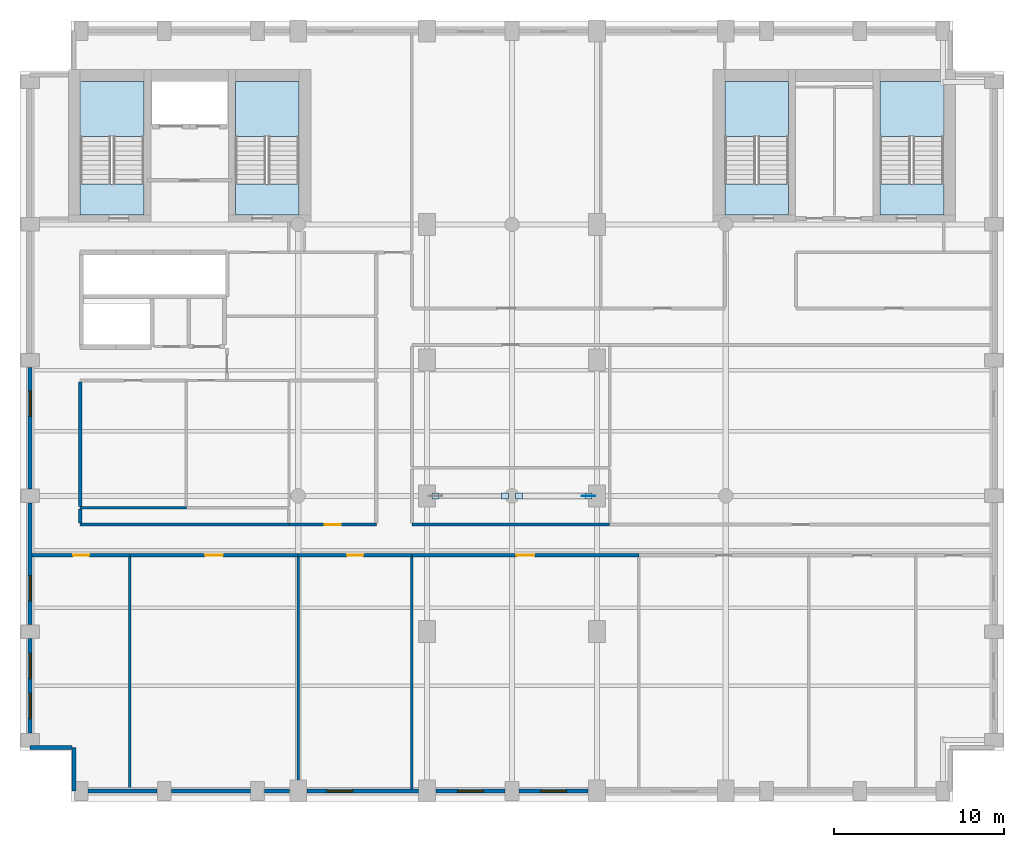
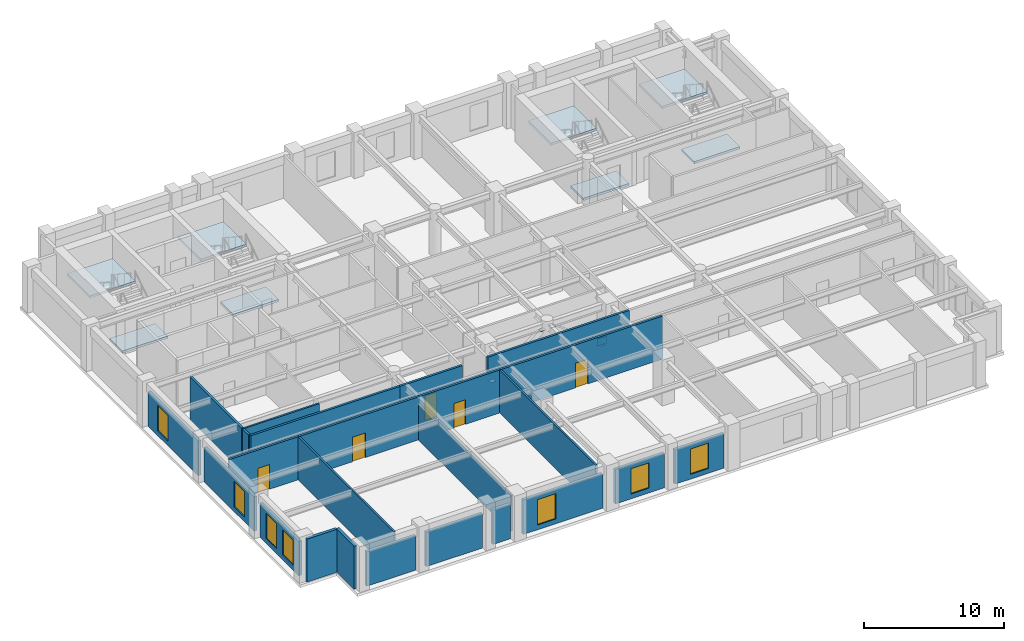
# One storey, part 4 of 10: 24 walls, 8 slabs, 7 windows, 5 doors, 5 plates, 12 openings, 4 elements without a shape of their own.
"""IFC4 building model written with IfcOpenShell, lengths in metres."""

from ifc_helpers import new_model, si_unit, direction, frame, frame_2d, origin, origin_2d, place, context, subcontext, project, spatial, polyline, rectangle, outline, extrude, material, layer, layer_set, type_object, element, fill, aggregate, save


model = new_model("IFC4")

# Units and contexts
model_context = context("Model", 3, precision=1e-05, world=origin(), true_north=direction((0.0, 1.0)))
body_context = subcontext(model_context, "Body", "Model", "MODEL_VIEW")
ifc_project = project(units=[si_unit("LENGTHUNIT", "METRE"), si_unit("AREAUNIT", "SQUARE_METRE"), si_unit("VOLUMEUNIT", "CUBIC_METRE"), si_unit("PLANEANGLEUNIT", "RADIAN"), si_unit("MASSUNIT", "GRAM", prefix="KILO")], contexts=[model_context])

# Site, building, storey
site_placement = place(None, origin())
site = spatial("IfcSite", under=ifc_project, at=site_placement, CompositionType="ELEMENT")
building_placement = place(site_placement, origin())
building = spatial("IfcBuilding", under=site, at=building_placement, Name="Sulina Concourse Tower", CompositionType="ELEMENT")
storey_placement = place(building_placement, frame((0.0, 0.0, 210.60009765625)))
storey = spatial("IfcBuildingStorey", under=building, at=storey_placement, Name="L51", CompositionType="ELEMENT", Elevation=210.60009765625)

# Slabs
ifc_material_1 = material(Name="Concrete C50/60", Category="concrete")
ifc_layer_1 = layer(ifc_material_1, 0.199951171875)
ifc_layer_set_1 = layer_set([ifc_layer_1], Name="Concrete C50/60")
slab_type = type_object("IfcSlabType", Name="Primary Core Stair Landing Slab 200mm", PredefinedType="LANDING", material=ifc_layer_set_1)
slab_1_placement = place(storey_placement, frame((0.0, 0.0, -0.2001953125)))
element("IfcSlab", 1, at=slab_1_placement, inside=storey, type_object=slab_type, Name="L51 ST-1 floor landing slab", PredefinedType="LANDING", context=body_context, shape_type="SweptSolid", body=[
    extrude(outline(polyline([(7.31005859375, 34.550048828125), (7.31005859375, 36.375), (3.550048828125, 36.375), (3.550048828125, 34.550048828125), (7.31005859375, 34.550048828125)])), origin(), (0.0, 0.0, 1.0), 0.2001953125),
])
slab_2_placement = place(storey_placement, frame((0.0, 0.0, -0.2001953125)))
element("IfcSlab", 2, at=slab_2_placement, inside=storey, type_object=slab_type, Name="L51 ST-2 floor landing slab", PredefinedType="LANDING", context=body_context, shape_type="SweptSolid", body=[
    extrude(outline(polyline([(16.449951171875, 34.550048828125), (16.449951171875, 36.375), (12.68994140625, 36.375), (12.68994140625, 34.550048828125), (16.449951171875, 34.550048828125)])), origin(), (0.0, 0.0, 1.0), 0.2001953125),
])
slab_3_placement = place(storey_placement, frame((0.0, 0.0, -0.2001953125)))
element("IfcSlab", 3, at=slab_3_placement, inside=storey, type_object=slab_type, Name="L51 ST-3 floor landing slab", PredefinedType="LANDING", context=body_context, shape_type="SweptSolid", body=[
    extrude(outline(polyline([(45.31005859375, 34.550048828125), (45.31005859375, 36.375), (41.550048828125, 36.375), (41.550048828125, 34.550048828125), (45.31005859375, 34.550048828125)])), origin(), (0.0, 0.0, 1.0), 0.2001953125),
])
slab_4_placement = place(storey_placement, frame((0.0, 0.0, -0.2001953125)))
element("IfcSlab", 4, at=slab_4_placement, inside=storey, type_object=slab_type, Name="L51 ST-4 floor landing slab", PredefinedType="LANDING", context=body_context, shape_type="SweptSolid", body=[
    extrude(outline(polyline([(54.449951171875, 34.550048828125), (54.449951171875, 36.375), (50.68994140625, 36.375), (50.68994140625, 34.550048828125), (54.449951171875, 34.550048828125)])), origin(), (0.0, 0.0, 1.0), 0.2001953125),
])

# Stair, slab
ifc_material_2 = material(Name="Concrete C50/60", Category="concrete")
stair_type_1 = type_object("IfcStairType", Name="Primary Core Dog-Leg Exit Stair 1800mm", PredefinedType="HALF_TURN_STAIR", material=ifc_material_2)
stair_1_placement = place(storey_placement, origin())
stair_1 = element("IfcStair", 5, at=stair_1_placement, inside=storey, type_object=stair_type_1, Name="L51 ST-1", PredefinedType="HALF_TURN_STAIR")
slab_5_placement = place(storey_placement, frame((0.0, 0.0, 1.7998046875)))
slab_5 = element("IfcSlab", 6, at=slab_5_placement, type_object=slab_type, Name="ST-1 landing 1", PredefinedType="LANDING", context=body_context, shape_type="SweptSolid", body=[
    extrude(outline(polyline([(7.304931640625, 39.175048828125), (7.304931640625, 42.425048828125), (3.554931640625, 42.425048828125), (3.554931640625, 39.175048828125), (7.304931640625, 39.175048828125)])), origin(), (0.0, 0.0, 1.0), 0.2001953125),
])
aggregate(stair_1, [slab_5])

stair_2_placement = place(storey_placement, origin())
stair_2 = element("IfcStair", 7, at=stair_2_placement, inside=storey, type_object=stair_type_1, Name="L51 ST-2", PredefinedType="HALF_TURN_STAIR")
slab_6_placement = place(storey_placement, frame((0.0, 0.0, 1.7998046875)))
slab_6 = element("IfcSlab", 8, at=slab_6_placement, type_object=slab_type, Name="ST-2 landing 1", PredefinedType="LANDING", context=body_context, shape_type="SweptSolid", body=[
    extrude(outline(polyline([(16.445068359375, 39.175048828125), (16.445068359375, 42.425048828125), (12.695068359375, 42.425048828125), (12.695068359375, 39.175048828125), (16.445068359375, 39.175048828125)])), origin(), (0.0, 0.0, 1.0), 0.2001953125),
])
aggregate(stair_2, [slab_6])

ifc_material_3 = material(Name="Concrete C50/60", Category="concrete")
stair_type_2 = type_object("IfcStairType", Name="Portal & Podium Core Exit Stair 1820mm", PredefinedType="HALF_TURN_STAIR", material=ifc_material_3)
stair_3_placement = place(storey_placement, origin())
stair_3 = element("IfcStair", 9, at=stair_3_placement, inside=storey, type_object=stair_type_2, Name="L51 ST-3", PredefinedType="HALF_TURN_STAIR")
slab_7_placement = place(storey_placement, frame((0.0, 0.0, 1.7998046875)))
slab_7 = element("IfcSlab", 10, at=slab_7_placement, type_object=slab_type, Name="ST-3 landing 1", PredefinedType="LANDING", context=body_context, shape_type="SweptSolid", body=[
    extrude(outline(polyline([(45.304931640625, 39.175048828125), (45.304931640625, 42.425048828125), (41.554931640625, 42.425048828125), (41.554931640625, 39.175048828125), (45.304931640625, 39.175048828125)])), origin(), (0.0, 0.0, 1.0), 0.2001953125),
])
aggregate(stair_3, [slab_7])

stair_4_placement = place(storey_placement, origin())
stair_4 = element("IfcStair", 11, at=stair_4_placement, inside=storey, type_object=stair_type_2, Name="L51 ST-4", PredefinedType="HALF_TURN_STAIR")
slab_8_placement = place(storey_placement, frame((0.0, 0.0, 1.7998046875)))
slab_8 = element("IfcSlab", 12, at=slab_8_placement, type_object=slab_type, Name="ST-4 landing 1", PredefinedType="LANDING", context=body_context, shape_type="SweptSolid", body=[
    extrude(outline(polyline([(54.445068359375, 39.175048828125), (54.445068359375, 42.425048828125), (50.695068359375, 42.425048828125), (50.695068359375, 39.175048828125), (54.445068359375, 39.175048828125)])), origin(), (0.0, 0.0, 1.0), 0.2001953125),
])
aggregate(stair_4, [slab_8])

# Plates
ifc_material_4 = material(Name="Steel S355", Category="steel")
ifc_layer_2 = layer(ifc_material_4, 0.0400390625)
ifc_layer_set_2 = layer_set([ifc_layer_2], Name="Steel S355")
plate_type_1 = type_object("IfcPlateType", Name="Upper Bridge Node Gusset Plate 40mm", PredefinedType="USERDEFINED", material=ifc_layer_set_2)
plate_placement = place(storey_placement, frame((33.510009765625, 18.0, 0.094970703125), z_axis=(0.0, 0.0, 1.0), x_axis=(1.0, 0.0, 0.0)))
element("IfcPlate", 13, at=plate_placement, inside=storey, type_object=plate_type_1, Name="UBT-DG-2-L51 node gusset plate", ObjectType="GUSSET_PLATE", PredefinedType="USERDEFINED", context=body_context, shape_type="SweptSolid", body=[
    extrude(rectangle(XDim=0.800048828125, YDim=0.0400390625, at=origin_2d()), origin(), (0.0, 0.0, 1.0), 0.64990234375),
])
ifc_material_5 = material(Name="Steel S355", Category="steel")
ifc_layer_3 = layer(ifc_material_5, 0.02001953125)
ifc_layer_set_3 = layer_set([ifc_layer_3], Name="Steel S355")
plate_type_2 = type_object("IfcPlateType", Name="Upper Hollow Brace End-Cap Plate 20mm", PredefinedType="USERDEFINED", material=ifc_layer_set_3)
for number, where, z_axis, x_axis, name in (
    (14, (24.489990234375, 18.0, 0.10986328125), (0.0, 0.0, 1.0), (1.0, 0.0, 0.0), "UBT-DG-1-L51 end cap plate 1"),
    (15, (28.5849609375, 18.0, 3.1298828125), (0.0, 0.0, 1.0), (1.0, 0.0, 0.0), "UBT-DG-1-L51 end cap plate 2"),
    (16, (33.510009765625, 18.0, 0.10986328125), (0.0, 0.0, 1.0), (1.0, 0.0, 0.0), "UBT-DG-2-L51 end cap plate 1"),
    (17, (29.4150390625, 18.0, 3.1298828125), (0.0, 0.0, 1.0), (1.0, 0.0, 0.0), "UBT-DG-2-L51 end cap plate 2"),
):
    element("IfcPlate", number, at=place(storey_placement, frame(where, z_axis=z_axis, x_axis=x_axis)), inside=storey, type_object=plate_type_2, Name=name, ObjectType="CAP_PLATE", PredefinedType="USERDEFINED", context=body_context, shape_type="SweptSolid", body=[
        extrude(rectangle(XDim=0.409912109375, YDim=0.360107421875, at=origin_2d()), origin(), (0.0, 0.0, 1.0), 0.02001953125),
    ])

# Walls
ifc_material_6 = material(Name="Precast concrete C50/60", Category="concrete")
ifc_layer_4 = layer(ifc_material_6, 0.239990234375)
ifc_layer_set_4 = layer_set([ifc_layer_4], Name="Precast concrete C50/60")
wall_type_1 = type_object("IfcWallType", Name="Crown Precast Masonry-Frame Facade Wall 240mm", PredefinedType="SOLIDWALL", material=ifc_layer_set_4)
wall_1_placement = place(storey_placement, frame((8.080078125, 0.60009765625, 0.0), z_axis=(0.0, 0.0, 1.0), x_axis=(-1.0, 0.0, 0.0)))
element("IfcWall", 18, at=wall_1_placement, inside=storey, type_object=wall_type_1, Name="L51 exterior precast wall S1", PredefinedType="SOLIDWALL", context=body_context, shape_type="SweptSolid", body=[
    extrude(rectangle(XDim=4.06005859375, YDim=0.239990234375, at=frame_2d((2.030029296875, 0.0))), origin(), (0.0, 0.0, 1.0), 3.0),
])
wall_2_placement = place(storey_placement, frame((13.580078125, 0.60009765625, 0.0), z_axis=(0.0, 0.0, 1.0), x_axis=(-1.0, 0.0, 0.0)))
element("IfcWall", 19, at=wall_2_placement, inside=storey, type_object=wall_type_1, Name="L51 exterior precast wall S2", PredefinedType="SOLIDWALL", context=body_context, shape_type="SweptSolid", body=[
    extrude(rectangle(XDim=4.66015625, YDim=0.239990234375, at=frame_2d((2.330078125, 0.0))), origin(), (0.0, 0.0, 1.0), 3.0),
])
wall_3_placement = place(storey_placement, frame((15.8798828125, 0.60009765625, 0.0), z_axis=(0.0, 0.0, 1.0), x_axis=(-1.0, 0.0, 0.0)))
element("IfcWall", 20, at=wall_3_placement, inside=storey, type_object=wall_type_1, Name="L51 exterior precast wall S3", PredefinedType="SOLIDWALL", context=body_context, shape_type="SweptSolid", body=[
    extrude(rectangle(XDim=1.4599609375, YDim=0.239990234375, at=frame_2d((0.72998046875, 0.0))), origin(), (0.0, 0.0, 1.0), 3.0),
])

# Wall, opening, window
wall_4_placement = place(storey_placement, frame((23.47998046875, 0.60009765625, 0.0), z_axis=(0.0, 0.0, 1.0), x_axis=(-1.0, 0.0, 0.0)))
wall_4 = element("IfcWall", 21, at=wall_4_placement, inside=storey, type_object=wall_type_1, Name="L51 exterior precast wall S4", PredefinedType="SOLIDWALL", context=body_context, shape_type="SweptSolid", body=[
    extrude(rectangle(XDim=6.56005859375, YDim=0.239990234375, at=frame_2d((3.280029296875, 0.0))), origin(), (0.0, 0.0, 1.0), 3.0),
])
opening_1_placement = place(wall_4_placement, frame((3.873291015625, 0.0, 0.419921875)))
opening_1 = element("IfcOpeningElement", 22, at=opening_1_placement, cuts=wall_4, Name="Opening WN-71", PredefinedType="OPENING", context=body_context, shape_type="SweptSolid", body=[
    extrude(rectangle(XDim=1.5, YDim=2.199951171875, at=frame_2d((0.75, 1.10009765625))), frame((0.0, 0.1298828125, 0.0), z_axis=(0.0, -1.0, 0.0), x_axis=(1.0, 0.0, 0.0)), (0.0, 0.0, 1.0), 0.260009765625),
])
ifc_material_7 = material(Name="Low-E solar double glazing in bronze aluminium", Category="aluminium")
window_type = type_object("IfcWindowType", Name="Punched Masonry-Frame Window 1500x2200", PartitioningType="SINGLE_PANEL", PredefinedType="WINDOW", material=ifc_material_7)
window_1_placement = place(opening_1_placement, origin())
window_1 = element("IfcWindow", 23, at=window_1_placement, inside=storey, type_object=window_type, Name="L51 punched window S4-1", OverallHeight=2.199951171875, OverallWidth=1.5, PartitioningType="SINGLE_PANEL", PredefinedType="WINDOW", context=body_context, shape_type="SweptSolid", body=[
    extrude(rectangle(XDim=1.5, YDim=2.199951171875, at=frame_2d((0.75, 1.10009765625))), frame((0.0, 0.030029296875, 0.0), z_axis=(0.0, -1.0, 0.0), x_axis=(1.0, 0.0, 0.0)), (0.0, 0.0, 1.0), 0.06005859375),
])
fill(opening_1, window_1)

wall_5_placement = place(storey_placement, frame((28.580078125, 0.60009765625, 0.0), z_axis=(0.0, 0.0, 1.0), x_axis=(-1.0, 0.0, 0.0)))
wall_5 = element("IfcWall", 24, at=wall_5_placement, inside=storey, type_object=wall_type_1, Name="L51 exterior precast wall S5", PredefinedType="SOLIDWALL", context=body_context, shape_type="SweptSolid", body=[
    extrude(rectangle(XDim=4.06005859375, YDim=0.239990234375, at=frame_2d((2.030029296875, 0.0))), origin(), (0.0, 0.0, 1.0), 3.0),
])
opening_2_placement = place(wall_5_placement, frame((1.280029296875, 0.0, 0.419921875)))
opening_2 = element("IfcOpeningElement", 25, at=opening_2_placement, cuts=wall_5, Name="Opening WN-71", PredefinedType="OPENING", context=body_context, shape_type="SweptSolid", body=[
    extrude(rectangle(XDim=1.5, YDim=2.199951171875, at=frame_2d((0.75, 1.10009765625))), frame((0.0, 0.1298828125, 0.0), z_axis=(0.0, -1.0, 0.0), x_axis=(1.0, 0.0, 0.0)), (0.0, 0.0, 1.0), 0.260009765625),
])
window_2_placement = place(opening_2_placement, origin())
window_2 = element("IfcWindow", 26, at=window_2_placement, inside=storey, type_object=window_type, Name="L51 punched window S5-1", OverallHeight=2.199951171875, OverallWidth=1.5, PartitioningType="SINGLE_PANEL", PredefinedType="WINDOW", context=body_context, shape_type="SweptSolid", body=[
    extrude(rectangle(XDim=1.5, YDim=2.199951171875, at=frame_2d((0.75, 1.10009765625))), frame((0.0, 0.030029296875, 0.0), z_axis=(0.0, -1.0, 0.0), x_axis=(1.0, 0.0, 0.0)), (0.0, 0.0, 1.0), 0.06005859375),
])
fill(opening_2, window_2)

wall_6_placement = place(storey_placement, frame((33.47998046875, 0.60009765625, 0.0), z_axis=(0.0, 0.0, 1.0), x_axis=(-1.0, 0.0, 0.0)))
wall_6 = element("IfcWall", 27, at=wall_6_placement, inside=storey, type_object=wall_type_1, Name="L51 exterior precast wall S6", PredefinedType="SOLIDWALL", context=body_context, shape_type="SweptSolid", body=[
    extrude(rectangle(XDim=4.06005859375, YDim=0.239990234375, at=frame_2d((2.030029296875, 0.0))), origin(), (0.0, 0.0, 1.0), 3.0),
])
opening_3_placement = place(wall_6_placement, frame((1.280029296875, 0.0, 0.419921875)))
opening_3 = element("IfcOpeningElement", 28, at=opening_3_placement, cuts=wall_6, Name="Opening WN-71", PredefinedType="OPENING", context=body_context, shape_type="SweptSolid", body=[
    extrude(rectangle(XDim=1.5, YDim=2.199951171875, at=frame_2d((0.75, 1.10009765625))), frame((0.0, 0.1298828125, 0.0), z_axis=(0.0, -1.0, 0.0), x_axis=(1.0, 0.0, 0.0)), (0.0, 0.0, 1.0), 0.260009765625),
])
window_3_placement = place(opening_3_placement, origin())
window_3 = element("IfcWindow", 29, at=window_3_placement, inside=storey, type_object=window_type, Name="L51 punched window S6-1", OverallHeight=2.199951171875, OverallWidth=1.5, PartitioningType="SINGLE_PANEL", PredefinedType="WINDOW", context=body_context, shape_type="SweptSolid", body=[
    extrude(rectangle(XDim=1.5, YDim=2.199951171875, at=frame_2d((0.75, 1.10009765625))), frame((0.0, 0.030029296875, 0.0), z_axis=(0.0, -1.0, 0.0), x_axis=(1.0, 0.0, 0.0)), (0.0, 0.0, 1.0), 0.06005859375),
])
fill(opening_3, window_3)

# Wall, openings, windows
wall_7_placement = place(storey_placement, frame((0.60009765625, 4.02001953125, 0.0), z_axis=(0.0, 0.0, 1.0), x_axis=(0.0, 1.0, 0.0)))
wall_7 = element("IfcWall", 30, at=wall_7_placement, inside=storey, type_object=wall_type_1, Name="L51 exterior precast wall W1", PredefinedType="SOLIDWALL", context=body_context, shape_type="SweptSolid", body=[
    extrude(rectangle(XDim=5.56005859375, YDim=0.239990234375, at=frame_2d((2.780029296875, 0.0))), origin(), (0.0, 0.0, 1.0), 3.0),
])
opening_4_placement = place(wall_7_placement, frame((0.853271484375, 0.0, 0.419921875)))
opening_4 = element("IfcOpeningElement", 31, at=opening_4_placement, cuts=wall_7, Name="Opening WN-71", PredefinedType="OPENING", context=body_context, shape_type="SweptSolid", body=[
    extrude(rectangle(XDim=1.5, YDim=2.199951171875, at=frame_2d((0.75, 1.10009765625))), frame((0.0, 0.1298828125, 0.0), z_axis=(0.0, -1.0, 0.0), x_axis=(1.0, 0.0, 0.0)), (0.0, 0.0, 1.0), 0.260009765625),
])
opening_5_placement = place(wall_7_placement, frame((3.206787109375, 0.0, 0.419921875)))
opening_5 = element("IfcOpeningElement", 32, at=opening_5_placement, cuts=wall_7, Name="Opening WN-71", PredefinedType="OPENING", context=body_context, shape_type="SweptSolid", body=[
    extrude(rectangle(XDim=1.5, YDim=2.199951171875, at=frame_2d((0.75, 1.10009765625))), frame((0.0, 0.1298828125, 0.0), z_axis=(0.0, -1.0, 0.0), x_axis=(1.0, 0.0, 0.0)), (0.0, 0.0, 1.0), 0.260009765625),
])
window_4_placement = place(opening_4_placement, origin())
window_4 = element("IfcWindow", 33, at=window_4_placement, inside=storey, type_object=window_type, Name="L51 punched window W1-1", OverallHeight=2.199951171875, OverallWidth=1.5, PartitioningType="SINGLE_PANEL", PredefinedType="WINDOW", context=body_context, shape_type="SweptSolid", body=[
    extrude(rectangle(XDim=1.5, YDim=2.199951171875, at=frame_2d((0.75, 1.10009765625))), frame((0.0, 0.030029296875, 0.0), z_axis=(0.0, -1.0, 0.0), x_axis=(1.0, 0.0, 0.0)), (0.0, 0.0, 1.0), 0.06005859375),
])
fill(opening_4, window_4)
window_5_placement = place(opening_5_placement, origin())
window_5 = element("IfcWindow", 34, at=window_5_placement, inside=storey, type_object=window_type, Name="L51 punched window W1-2", OverallHeight=2.199951171875, OverallWidth=1.5, PartitioningType="SINGLE_PANEL", PredefinedType="WINDOW", context=body_context, shape_type="SweptSolid", body=[
    extrude(rectangle(XDim=1.5, YDim=2.199951171875, at=frame_2d((0.75, 1.10009765625))), frame((0.0, 0.030029296875, 0.0), z_axis=(0.0, -1.0, 0.0), x_axis=(1.0, 0.0, 0.0)), (0.0, 0.0, 1.0), 0.06005859375),
])
fill(opening_5, window_5)

# Wall, opening, window
wall_8_placement = place(storey_placement, frame((0.60009765625, 10.419921875, 0.0), z_axis=(0.0, 0.0, 1.0), x_axis=(0.0, 1.0, 0.0)))
wall_8 = element("IfcWall", 35, at=wall_8_placement, inside=storey, type_object=wall_type_1, Name="L51 exterior precast wall W2", PredefinedType="SOLIDWALL", context=body_context, shape_type="SweptSolid", body=[
    extrude(rectangle(XDim=7.16015625, YDim=0.239990234375, at=frame_2d((3.580078125, 0.0))), origin(), (0.0, 0.0, 1.0), 3.0),
])
opening_6_placement = place(wall_8_placement, frame((1.38671875, 0.0, 0.419921875)))
opening_6 = element("IfcOpeningElement", 36, at=opening_6_placement, cuts=wall_8, Name="Opening WN-71", PredefinedType="OPENING", context=body_context, shape_type="SweptSolid", body=[
    extrude(rectangle(XDim=1.5, YDim=2.199951171875, at=frame_2d((0.75, 1.10009765625))), frame((0.0, 0.1298828125, 0.0), z_axis=(0.0, -1.0, 0.0), x_axis=(1.0, 0.0, 0.0)), (0.0, 0.0, 1.0), 0.260009765625),
])
window_6_placement = place(opening_6_placement, origin())
window_6 = element("IfcWindow", 37, at=window_6_placement, inside=storey, type_object=window_type, Name="L51 punched window W2-1", OverallHeight=2.199951171875, OverallWidth=1.5, PartitioningType="SINGLE_PANEL", PredefinedType="WINDOW", context=body_context, shape_type="SweptSolid", body=[
    extrude(rectangle(XDim=1.5, YDim=2.199951171875, at=frame_2d((0.75, 1.10009765625))), frame((0.0, 0.030029296875, 0.0), z_axis=(0.0, -1.0, 0.0), x_axis=(1.0, 0.0, 0.0)), (0.0, 0.0, 1.0), 0.06005859375),
])
fill(opening_6, window_6)

wall_9_placement = place(storey_placement, frame((0.60009765625, 18.419921875, 0.0), z_axis=(0.0, 0.0, 1.0), x_axis=(0.0, 1.0, 0.0)))
wall_9 = element("IfcWall", 38, at=wall_9_placement, inside=storey, type_object=wall_type_1, Name="L51 exterior precast wall W3", PredefinedType="SOLIDWALL", context=body_context, shape_type="SweptSolid", body=[
    extrude(rectangle(XDim=7.16015625, YDim=0.239990234375, at=frame_2d((3.580078125, 0.0))), origin(), (0.0, 0.0, 1.0), 3.0),
])
opening_7_placement = place(wall_9_placement, frame((4.273193359375, 0.0, 0.419921875)))
opening_7 = element("IfcOpeningElement", 39, at=opening_7_placement, cuts=wall_9, Name="Opening WN-71", PredefinedType="OPENING", context=body_context, shape_type="SweptSolid", body=[
    extrude(rectangle(XDim=1.5, YDim=2.199951171875, at=frame_2d((0.75, 1.10009765625))), frame((0.0, 0.1298828125, 0.0), z_axis=(0.0, -1.0, 0.0), x_axis=(1.0, 0.0, 0.0)), (0.0, 0.0, 1.0), 0.260009765625),
])
window_7_placement = place(opening_7_placement, origin())
window_7 = element("IfcWindow", 40, at=window_7_placement, inside=storey, type_object=window_type, Name="L51 punched window W3-1", OverallHeight=2.199951171875, OverallWidth=1.5, PartitioningType="SINGLE_PANEL", PredefinedType="WINDOW", context=body_context, shape_type="SweptSolid", body=[
    extrude(rectangle(XDim=1.5, YDim=2.199951171875, at=frame_2d((0.75, 1.10009765625))), frame((0.0, 0.030029296875, 0.0), z_axis=(0.0, -1.0, 0.0), x_axis=(1.0, 0.0, 0.0)), (0.0, 0.0, 1.0), 0.06005859375),
])
fill(opening_7, window_7)

# Walls
wall_10_placement = place(storey_placement, frame((3.179931640625, 0.60009765625, 0.0), z_axis=(0.0, 0.0, 1.0), x_axis=(0.0, 1.0, 0.0)))
element("IfcWall", 41, at=wall_10_placement, inside=storey, type_object=wall_type_1, Name="L51 exterior precast wall CSW1", PredefinedType="SOLIDWALL", context=body_context, shape_type="SweptSolid", body=[
    extrude(rectangle(XDim=2.579833984375, YDim=0.239990234375, at=frame_2d((1.2900390625, 0.0))), origin(), (0.0, 0.0, 1.0), 3.75),
])
wall_11_placement = place(storey_placement, frame((3.054931640625, 3.179931640625, 0.0), z_axis=(0.0, 0.0, 1.0), x_axis=(-1.0, 0.0, 0.0)))
element("IfcWall", 42, at=wall_11_placement, inside=storey, type_object=wall_type_1, Name="L51 exterior precast wall CSW2", PredefinedType="SOLIDWALL", context=body_context, shape_type="SweptSolid", body=[
    extrude(rectangle(XDim=2.454833984375, YDim=0.239990234375, at=frame_2d((1.2275390625, 0.0))), origin(), (0.0, 0.0, 1.0), 3.75),
])
ifc_material_8 = material(Name="Gypsum board on steel stud", Category="steel")
ifc_layer_5 = layer(ifc_material_8, 0.14990234375)
ifc_layer_set_5 = layer_set([ifc_layer_5], Name="Gypsum board on steel stud")
wall_type_2 = type_object("IfcWallType", Name="Inter-Tenancy Acoustic Partition 150mm", PredefinedType="PARTITIONING", material=ifc_layer_set_5)
wall_12_placement = place(storey_placement, frame((3.550048828125, 17.300048828125, 0.0), z_axis=(0.0, 0.0, 1.0), x_axis=(1.0, 0.0, 0.0)))
element("IfcWall", 43, at=wall_12_placement, inside=storey, type_object=wall_type_2, Name="L51 interior partition 012", PredefinedType="PARTITIONING", context=body_context, shape_type="SweptSolid", body=[
    extrude(rectangle(XDim=6.25, YDim=0.14990234375, at=frame_2d((3.125, 0.0))), origin(), (0.0, 0.0, 1.0), 3.75),
])
wall_13_placement = place(storey_placement, frame((6.47998046875, 0.719970703125, 0.0), z_axis=(0.0, 0.0, 1.0), x_axis=(0.0, 1.0, 0.0)))
element("IfcWall", 44, at=wall_13_placement, inside=storey, type_object=wall_type_2, Name="L51 interior partition 038", PredefinedType="PARTITIONING", context=body_context, shape_type="SweptSolid", body=[
    extrude(rectangle(XDim=13.68994140625, YDim=0.14990234375, at=frame_2d((6.844970703125, 0.0))), origin(), (0.0, 0.0, 1.0), 3.75),
])
wall_14_placement = place(storey_placement, frame((16.39990234375, 1.25, 0.0), z_axis=(0.0, 0.0, 1.0), x_axis=(0.0, 1.0, 0.0)))
element("IfcWall", 45, at=wall_14_placement, inside=storey, type_object=wall_type_2, Name="L51 interior partition 046", PredefinedType="PARTITIONING", context=body_context, shape_type="SweptSolid", body=[
    extrude(rectangle(XDim=13.159912109375, YDim=0.14990234375, at=frame_2d((6.580078125, 0.0))), origin(), (0.0, 0.0, 1.0), 3.14501953125),
])
wall_15_placement = place(storey_placement, frame((23.10009765625, 0.719970703125, 0.0), z_axis=(0.0, 0.0, 1.0), x_axis=(0.0, 1.0, 0.0)))
element("IfcWall", 46, at=wall_15_placement, inside=storey, type_object=wall_type_2, Name="L51 interior partition 051", PredefinedType="PARTITIONING", context=body_context, shape_type="SweptSolid", body=[
    extrude(rectangle(XDim=13.68994140625, YDim=0.14990234375, at=frame_2d((6.844970703125, 0.0))), origin(), (0.0, 0.0, 1.0), 3.75),
])

# Wall, opening, door
ifc_material_9 = material(Name="Gypsum board on steel stud", Category="steel")
ifc_layer_6 = layer(ifc_material_9, 0.179931640625)
ifc_layer_set_6 = layer_set([ifc_layer_6], Name="Gypsum board on steel stud")
wall_type_3 = type_object("IfcWallType", Name="Protected Corridor & Riser Partition 180mm", PredefinedType="PARTITIONING", material=ifc_layer_set_6)
wall_16_placement = place(storey_placement, frame((0.719970703125, 14.5, 0.0), z_axis=(0.0, 0.0, 1.0), x_axis=(1.0, 0.0, 0.0)))
wall_16 = element("IfcWall", 47, at=wall_16_placement, inside=storey, type_object=wall_type_3, Name="L51 interior partition 001", PredefinedType="PARTITIONING", context=body_context, shape_type="SweptSolid", body=[
    extrude(rectangle(XDim=5.760009765625, YDim=0.179931640625, at=frame_2d((2.8798828125, 0.0))), origin(), (0.0, 0.0, 1.0), 3.75),
])
opening_8_placement = place(wall_16_placement, frame((2.405029296875, 0.0, 0.0)))
opening_8 = element("IfcOpeningElement", 48, at=opening_8_placement, cuts=wall_16, Name="Opening DR-19", PredefinedType="OPENING", context=body_context, shape_type="SweptSolid", body=[
    extrude(rectangle(XDim=0.949951171875, YDim=2.14990234375, at=frame_2d((0.47509765625, 1.074951171875))), frame((0.0, 0.099853515625, 0.0), z_axis=(0.0, -1.0, 0.0), x_axis=(1.0, 0.0, 0.0)), (0.0, 0.0, 1.0), 0.199951171875),
])
ifc_material_10 = material(Name="Oak-veneered acoustic timber leaf", Category="wood")
ifc_layer_7 = layer(ifc_material_10, 0.050048828125)
ifc_layer_set_7 = layer_set([ifc_layer_7], Name="Oak-veneered acoustic timber leaf")
door_type_1 = type_object("IfcDoorType", Name="Cellular Office & Meeting Door 950x2150", OperationType="NOTDEFINED", PredefinedType="DOOR", material=ifc_layer_set_7)
door_1_placement = place(opening_8_placement, origin())
door_1 = element("IfcDoor", 49, at=door_1_placement, inside=storey, type_object=door_type_1, Name="L51 interior door L51-S01", OperationType="SINGLE_SWING_RIGHT", OverallHeight=2.14990234375, OverallWidth=0.949951171875, PredefinedType="DOOR", context=body_context, shape_type="SweptSolid", body=[
    extrude(rectangle(XDim=0.949951171875, YDim=2.14990234375, at=frame_2d((0.47509765625, 1.074951171875))), frame((0.0, 0.02490234375, 0.0), z_axis=(0.0, -1.0, 0.0), x_axis=(1.0, 0.0, 0.0)), (0.0, 0.0, 1.0), 0.050048828125),
])
fill(opening_8, door_1)

wall_17_placement = place(storey_placement, frame((6.47998046875, 14.5, 0.0), z_axis=(0.0, 0.0, 1.0), x_axis=(1.0, 0.0, 0.0)))
wall_17 = element("IfcWall", 50, at=wall_17_placement, inside=storey, type_object=wall_type_3, Name="L51 interior partition 002", PredefinedType="PARTITIONING", context=body_context, shape_type="SweptSolid", body=[
    extrude(rectangle(XDim=9.919921875, YDim=0.179931640625, at=frame_2d((4.9599609375, 0.0))), origin(), (0.0, 0.0, 1.0), 3.75),
])
opening_9_placement = place(wall_17_placement, frame((4.43505859375, 0.0, 0.0)))
opening_9 = element("IfcOpeningElement", 51, at=opening_9_placement, cuts=wall_17, Name="Opening DR-37", PredefinedType="OPENING", context=body_context, shape_type="SweptSolid", body=[
    extrude(rectangle(XDim=1.050048828125, YDim=2.14990234375, at=frame_2d((0.52490234375, 1.074951171875))), frame((0.0, 0.099853515625, 0.0), z_axis=(0.0, -1.0, 0.0), x_axis=(1.0, 0.0, 0.0)), (0.0, 0.0, 1.0), 0.199951171875),
])
ifc_material_11 = material(Name="Oak-veneered fire door leaf")
ifc_layer_8 = layer(ifc_material_11, 0.050048828125)
ifc_layer_set_8 = layer_set([ifc_layer_8], Name="Oak-veneered fire door leaf")
door_type_2 = type_object("IfcDoorType", Name="Tenant Suite Entrance Fire Door 1050x2150", OperationType="NOTDEFINED", PredefinedType="DOOR", material=ifc_layer_set_8)
door_2_placement = place(opening_9_placement, origin())
door_2 = element("IfcDoor", 52, at=door_2_placement, inside=storey, type_object=door_type_2, Name="L51 interior door L51-S02", OperationType="SINGLE_SWING_LEFT", OverallHeight=2.14990234375, OverallWidth=1.050048828125, PredefinedType="DOOR", context=body_context, shape_type="SweptSolid", body=[
    extrude(rectangle(XDim=1.050048828125, YDim=2.14990234375, at=frame_2d((0.52490234375, 1.074951171875))), frame((0.0, 0.02490234375, 0.0), z_axis=(0.0, -1.0, 0.0), x_axis=(1.0, 0.0, 0.0)), (0.0, 0.0, 1.0), 0.050048828125),
])
fill(opening_9, door_2)

wall_18_placement = place(storey_placement, frame((16.39990234375, 14.5, 0.0), z_axis=(0.0, 0.0, 1.0), x_axis=(1.0, 0.0, 0.0)))
wall_18 = element("IfcWall", 53, at=wall_18_placement, inside=storey, type_object=wall_type_3, Name="L51 interior partition 003", PredefinedType="PARTITIONING", context=body_context, shape_type="SweptSolid", body=[
    extrude(rectangle(XDim=6.7001953125, YDim=0.179931640625, at=frame_2d((3.35009765625, 0.0))), origin(), (0.0, 0.0, 1.0), 3.75),
])
opening_10_placement = place(wall_18_placement, frame((2.875, 0.0, 0.0)))
opening_10 = element("IfcOpeningElement", 54, at=opening_10_placement, cuts=wall_18, Name="Opening DR-19", PredefinedType="OPENING", context=body_context, shape_type="SweptSolid", body=[
    extrude(rectangle(XDim=0.949951171875, YDim=2.14990234375, at=frame_2d((0.47509765625, 1.074951171875))), frame((0.0, 0.099853515625, 0.0), z_axis=(0.0, -1.0, 0.0), x_axis=(1.0, 0.0, 0.0)), (0.0, 0.0, 1.0), 0.199951171875),
])
door_3_placement = place(opening_10_placement, origin())
door_3 = element("IfcDoor", 55, at=door_3_placement, inside=storey, type_object=door_type_1, Name="L51 interior door L51-S03", OperationType="SINGLE_SWING_RIGHT", OverallHeight=2.14990234375, OverallWidth=0.949951171875, PredefinedType="DOOR", context=body_context, shape_type="SweptSolid", body=[
    extrude(rectangle(XDim=0.949951171875, YDim=2.14990234375, at=frame_2d((0.47509765625, 1.074951171875))), frame((0.0, 0.02490234375, 0.0), z_axis=(0.0, -1.0, 0.0), x_axis=(1.0, 0.0, 0.0)), (0.0, 0.0, 1.0), 0.050048828125),
])
fill(opening_10, door_3)

wall_19_placement = place(storey_placement, frame((23.10009765625, 14.5, 0.0), z_axis=(0.0, 0.0, 1.0), x_axis=(1.0, 0.0, 0.0)))
wall_19 = element("IfcWall", 56, at=wall_19_placement, inside=storey, type_object=wall_type_3, Name="L51 interior partition 004", PredefinedType="PARTITIONING", context=body_context, shape_type="SweptSolid", body=[
    extrude(rectangle(XDim=13.3798828125, YDim=0.179931640625, at=frame_2d((6.68994140625, 0.0))), origin(), (0.0, 0.0, 1.0), 3.75),
])
opening_11_placement = place(wall_19_placement, frame((6.1650390625, 0.0, 0.0)))
opening_11 = element("IfcOpeningElement", 57, at=opening_11_placement, cuts=wall_19, Name="Opening DR-37", PredefinedType="OPENING", context=body_context, shape_type="SweptSolid", body=[
    extrude(rectangle(XDim=1.050048828125, YDim=2.14990234375, at=frame_2d((0.52490234375, 1.074951171875))), frame((0.0, 0.099853515625, 0.0), z_axis=(0.0, -1.0, 0.0), x_axis=(1.0, 0.0, 0.0)), (0.0, 0.0, 1.0), 0.199951171875),
])
door_4_placement = place(opening_11_placement, origin())
door_4 = element("IfcDoor", 58, at=door_4_placement, inside=storey, type_object=door_type_2, Name="L51 interior door L51-S04", OperationType="SINGLE_SWING_LEFT", OverallHeight=2.14990234375, OverallWidth=1.050048828125, PredefinedType="DOOR", context=body_context, shape_type="SweptSolid", body=[
    extrude(rectangle(XDim=1.050048828125, YDim=2.14990234375, at=frame_2d((0.52490234375, 1.074951171875))), frame((0.0, 0.02490234375, 0.0), z_axis=(0.0, -1.0, 0.0), x_axis=(1.0, 0.0, 0.0)), (0.0, 0.0, 1.0), 0.050048828125),
])
fill(opening_11, door_4)

# Wall
wall_20_placement = place(storey_placement, frame((3.550048828125, 16.300048828125, 0.0), z_axis=(0.0, 0.0, 1.0), x_axis=(1.0, 0.0, 0.0)))
element("IfcWall", 59, at=wall_20_placement, inside=storey, type_object=wall_type_3, Name="L51 interior partition 008", PredefinedType="PARTITIONING", context=body_context, shape_type="SweptSolid", body=[
    extrude(rectangle(XDim=12.300048828125, YDim=0.179931640625, at=frame_2d((6.14990234375, 0.0))), origin(), (0.0, 0.0, 1.0), 3.75),
])

# Wall, opening, door
wall_21_placement = place(storey_placement, frame((15.85009765625, 16.300048828125, 0.0), z_axis=(0.0, 0.0, 1.0), x_axis=(1.0, 0.0, 0.0)))
wall_21 = element("IfcWall", 60, at=wall_21_placement, inside=storey, type_object=wall_type_3, Name="L51 interior partition 009", PredefinedType="PARTITIONING", context=body_context, shape_type="SweptSolid", body=[
    extrude(rectangle(XDim=5.14990234375, YDim=0.179931640625, at=frame_2d((2.574951171875, 0.0))), origin(), (0.0, 0.0, 1.0), 3.75),
])
opening_12_placement = place(wall_21_placement, frame((2.10009765625, 0.0, 0.0)))
opening_12 = element("IfcOpeningElement", 61, at=opening_12_placement, cuts=wall_21, Name="Opening DR-19", PredefinedType="OPENING", context=body_context, shape_type="SweptSolid", body=[
    extrude(rectangle(XDim=0.949951171875, YDim=2.14990234375, at=frame_2d((0.47509765625, 1.074951171875))), frame((0.0, 0.099853515625, 0.0), z_axis=(0.0, -1.0, 0.0), x_axis=(1.0, 0.0, 0.0)), (0.0, 0.0, 1.0), 0.199951171875),
])
door_5_placement = place(opening_12_placement, origin())
door_5 = element("IfcDoor", 62, at=door_5_placement, inside=storey, type_object=door_type_1, Name="L51 interior door L51-NZ-PKW", OperationType="SINGLE_SWING_LEFT", OverallHeight=2.14990234375, OverallWidth=0.949951171875, PredefinedType="DOOR", context=body_context, shape_type="SweptSolid", body=[
    extrude(rectangle(XDim=0.949951171875, YDim=2.14990234375, at=frame_2d((0.47509765625, 1.074951171875))), frame((0.0, 0.02490234375, 0.0), z_axis=(0.0, -1.0, 0.0), x_axis=(1.0, 0.0, 0.0)), (0.0, 0.0, 1.0), 0.050048828125),
])
fill(opening_12, door_5)

# Walls
wall_22_placement = place(storey_placement, frame((23.10009765625, 16.300048828125, 0.0), z_axis=(0.0, 0.0, 1.0), x_axis=(1.0, 0.0, 0.0)))
element("IfcWall", 63, at=wall_22_placement, inside=storey, type_object=wall_type_3, Name="L51 interior partition 010", PredefinedType="PARTITIONING", context=body_context, shape_type="SweptSolid", body=[
    extrude(rectangle(XDim=11.64990234375, YDim=0.179931640625, at=frame_2d((5.824951171875, 0.0))), origin(), (0.0, 0.0, 1.0), 3.75),
])
wall_23_placement = place(storey_placement, frame((3.550048828125, 16.389892578125, 0.0), z_axis=(0.0, 0.0, 1.0), x_axis=(0.0, 1.0, 0.0)))
element("IfcWall", 64, at=wall_23_placement, inside=storey, type_object=wall_type_3, Name="L51 interior partition 036", PredefinedType="PARTITIONING", context=body_context, shape_type="SweptSolid", body=[
    extrude(rectangle(XDim=0.835205078125, YDim=0.179931640625, at=frame_2d((0.41748046875, 0.0))), origin(), (0.0, 0.0, 1.0), 3.75),
])
wall_24_placement = place(storey_placement, frame((3.550048828125, 17.375, 0.0), z_axis=(0.0, 0.0, 1.0), x_axis=(0.0, 1.0, 0.0)))
element("IfcWall", 65, at=wall_24_placement, inside=storey, type_object=wall_type_3, Name="L51 interior partition 037", PredefinedType="PARTITIONING", context=body_context, shape_type="SweptSolid", body=[
    extrude(rectangle(XDim=7.35009765625, YDim=0.179931640625, at=frame_2d((3.675048828125, 0.0))), origin(), (0.0, 0.0, 1.0), 3.75),
])

save(model, "model.ifc")
